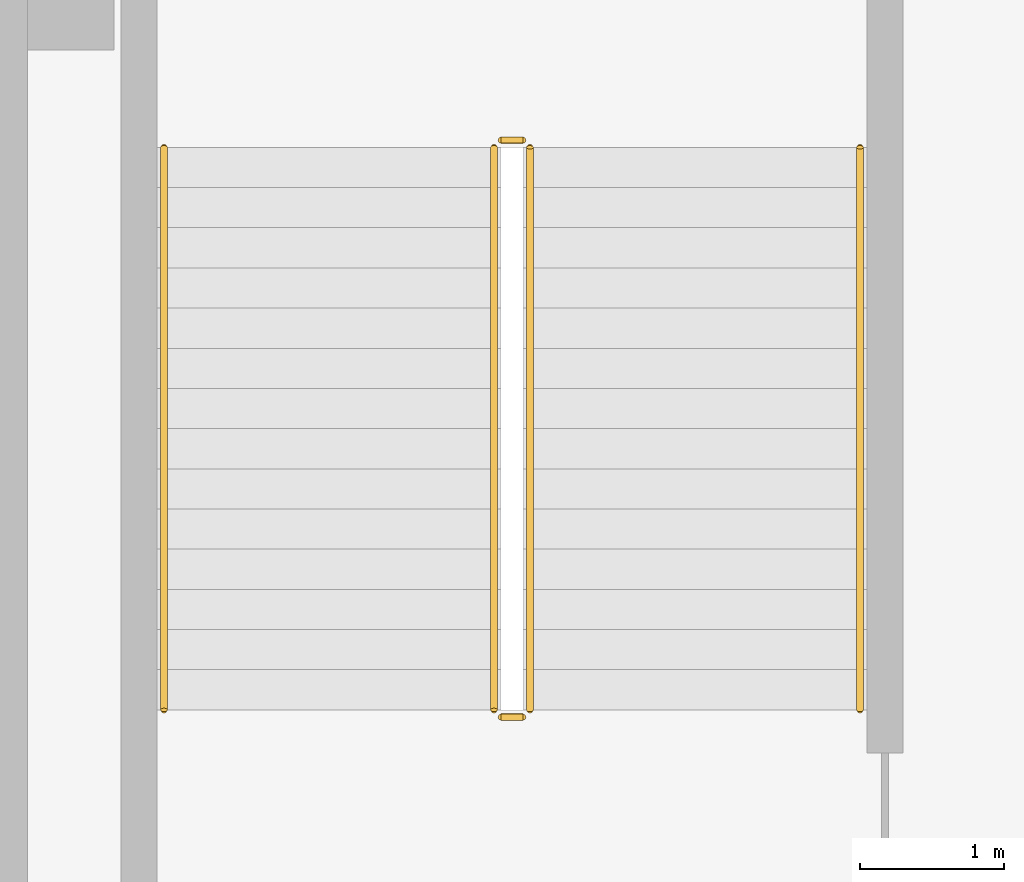
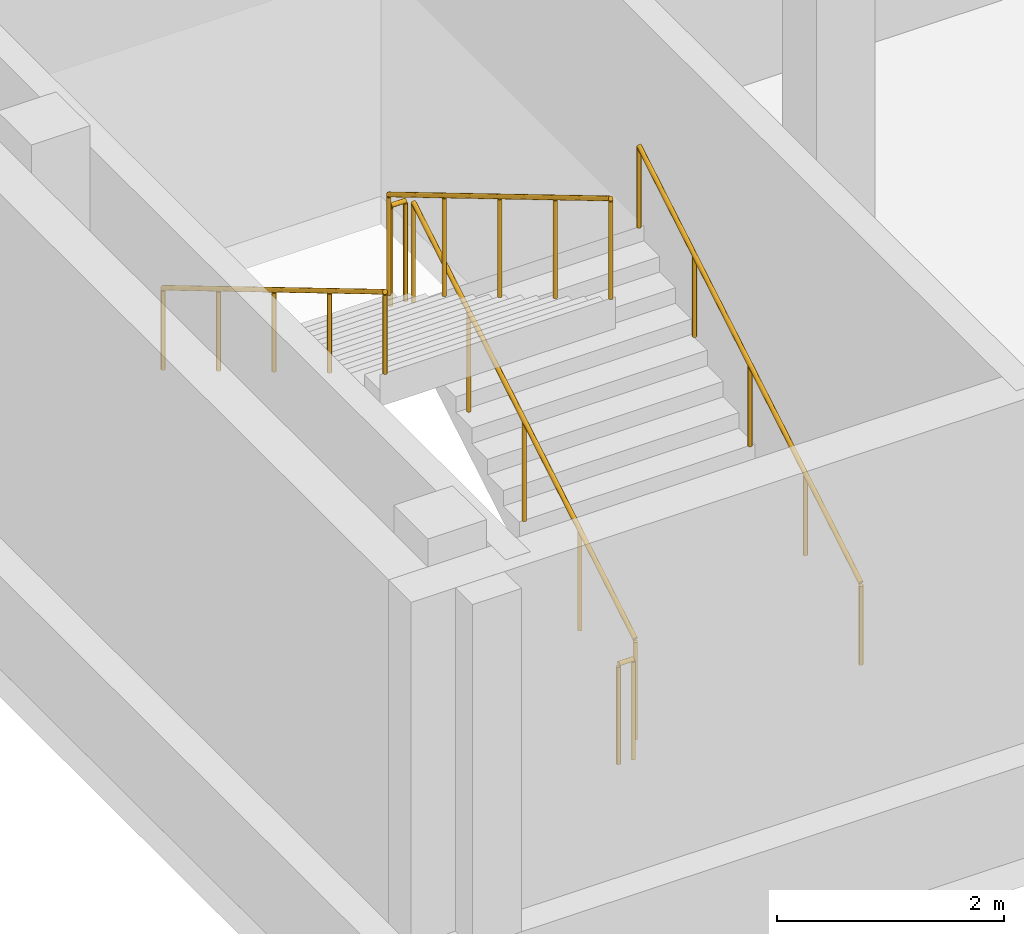
# One storey, part 27 of 32: 6 railings.
"""IFC4 building model written with IfcOpenShell, lengths in metres."""

import ifcopenshell
import ifcopenshell.guid

model = None  # the IFC model being written
_history = None  # IfcOwnerHistory: only IFC2X3 demands one
_inside = {}  # id of a spatial element -> (the spatial element, [elements in it])
_under = {}  # id of a project, library or spatial element -> (it, [spatial elements below it])
_declared = {}  # id of a project -> (the project, [libraries it declares])
_typed = {}  # id of a type object -> (the type object, [elements of that type])
_made_of = {}  # id of a material, layer set ... -> (it, [elements and type objects made of it])


def new_model(schema):
    """Start an empty IFC model of exactly this schema.

    Asked for "IFC4X3", IfcOpenShell would pick the latest addendum, in which some entities
    have other attributes; the version numbers below select the first issue.
    IFC2X3 requires an IfcOwnerHistory on every rooted entity: one is made here for all.
    """
    global model, _history
    if schema == "IFC4X3":
        model = ifcopenshell.file(schema_version=(4, 3, 0, 0))
    else:
        model = ifcopenshell.file(schema=schema)
    _inside.clear()
    _under.clear()
    _declared.clear()
    _typed.clear()
    _made_of.clear()
    _history = None
    if model.schema == "IFC2X3":
        org = make("IfcOrganization", Name="unknown")
        user = make(
            "IfcPersonAndOrganization",
            ThePerson=make("IfcPerson", FamilyName="unknown"),
            TheOrganization=org,
        )
        app = make(
            "IfcApplication",
            ApplicationDeveloper=org,
            Version="unknown",
            ApplicationFullName="unknown",
            ApplicationIdentifier="unknown",
        )
        _history = make(
            "IfcOwnerHistory",
            OwningUser=user,
            OwningApplication=app,
            ChangeAction="ADDED",
            CreationDate=0,
        )
    return model


def make(cls, **values):
    """One entity of the class cls with the attributes given. An attribute that is None is left unset."""
    return model.create_entity(
        cls, **{name: value for name, value in values.items() if value is not None}
    )


def rooted(cls, **values):
    """An entity with a GlobalId (a new one), such as an element, a storey or a relation."""
    return make(cls, GlobalId=ifcopenshell.guid.new(), OwnerHistory=_history, **values)


def si_unit(unit_type, name, prefix=None):
    """IfcSIUnit, for example si_unit("LENGTHUNIT", "METRE", prefix="MILLI")."""
    return make("IfcSIUnit", UnitType=unit_type, Prefix=prefix, Name=name)


def assignment(units):
    """IfcUnitAssignment: the units of a project."""
    return None if units is None else make("IfcUnitAssignment", Units=units)


def point(xyz):
    """IfcCartesianPoint."""
    return None if xyz is None else make("IfcCartesianPoint", Coordinates=xyz)


def direction(xyz):
    """IfcDirection."""
    return None if xyz is None else make("IfcDirection", DirectionRatios=xyz)


def frame(location, z_axis=None, x_axis=None):
    """IfcAxis2Placement3D, a coordinate frame: its origin and axes. An axis left out is left unset."""
    return make(
        "IfcAxis2Placement3D",
        Location=point(location),
        Axis=direction(z_axis),
        RefDirection=direction(x_axis),
    )


def frame_2d(location, x_axis=None):
    """IfcAxis2Placement2D, a coordinate frame in the plane: its origin and x axis."""
    return make(
        "IfcAxis2Placement2D", Location=point(location), RefDirection=direction(x_axis)
    )


def origin():
    """The frame at (0, 0, 0) with its axes left unset."""
    return frame((0.0, 0.0, 0.0))


def origin_2d():
    """The frame at (0, 0) in the plane with its x axis left unset."""
    return frame_2d((0.0, 0.0))


def place(relative_to, where):
    """IfcLocalPlacement: puts the frame where relative to a parent placement (None: the world)."""
    return make(
        "IfcLocalPlacement", PlacementRelTo=relative_to, RelativePlacement=where
    )


def context(
    kind, dimensions, precision=None, world=None, true_north=None, identifier=None
):
    """IfcGeometricRepresentationContext, for example the 3D "Model" context."""
    return make(
        "IfcGeometricRepresentationContext",
        ContextIdentifier=identifier,
        ContextType=kind,
        CoordinateSpaceDimension=dimensions,
        Precision=precision,
        WorldCoordinateSystem=world,
        TrueNorth=true_north,
    )


def subcontext(parent, identifier, kind, view, scale=None):
    """IfcGeometricRepresentationSubContext, for example "Body" below "Model"."""
    return make(
        "IfcGeometricRepresentationSubContext",
        ContextIdentifier=identifier,
        ContextType=kind,
        ParentContext=parent,
        TargetScale=scale,
        TargetView=view,
    )


def project(units=None, contexts=None):
    """IfcProject with its units and contexts."""
    return rooted(
        "IfcProject",
        Name="project",
        RepresentationContexts=contexts,
        UnitsInContext=assignment(units),
    )


def spatial(cls, under=None, at=None, **own):
    """A site, building, storey or space (cls), placed at a placement, below another one or the project."""
    s = rooted(cls, ObjectPlacement=at, **own)
    if under is not None:
        _under.setdefault(under.id(), (under, []))[1].append(s)
    return s


def profile(cls, at=None, kind="AREA", **sizes):
    """A parametric profile (cls). Its sizes go by their IFC names, for example OverallWidth=200.0."""
    return make(cls, ProfileType=kind, Position=at, **sizes)


def circle(**sizes):
    """IfcCircleProfileDef."""
    return profile("IfcCircleProfileDef", **sizes)


def extrude(swept, where, along, depth):
    """IfcExtrudedAreaSolid: the profile swept, set in the frame where, extruded along a direction by depth."""
    return make(
        "IfcExtrudedAreaSolid",
        SweptArea=swept,
        Position=where,
        ExtrudedDirection=direction(along),
        Depth=depth,
    )


def shape(context_of_items, identifier, shape_type, items):
    """IfcShapeRepresentation: the items that make up one representation, for example the "Body"."""
    return make(
        "IfcShapeRepresentation",
        ContextOfItems=context_of_items,
        RepresentationIdentifier=identifier,
        RepresentationType=shape_type,
        Items=items,
    )


def material(Name=None, Category=None):
    """IfcMaterial."""
    return make("IfcMaterial", Name=Name, Category=Category)


def made_of(thing, what):
    """Note that an element or type object is made of a material, layer set ...; save() writes the relation."""
    if what is not None:
        _made_of.setdefault(what.id(), (what, []))[1].append(thing)
    return thing


def type_object(cls, material=None, **own):
    """A type object (cls), such as IfcWallType, which elements share."""
    return made_of(rooted(cls, **own), material)


def element(
    cls,
    number,
    at=None,
    inside=None,
    cuts=None,
    type_object=None,
    material=None,
    context=None,
    identifier="Body",
    shape_type=None,
    held_by="IfcProductDefinitionShape",
    body=None,
    shapes=None,
    **own,
):
    """One element of the class cls, such as IfcWall. Its Tag is "e" and its number.

    at: its placement. inside: the storey or other place that contains it. cuts: it is an
    opening in that element (IfcRelVoidsElement). A single representation is given by context,
    identifier, shape_type and body (its items); several are given by shapes. held_by: the class
    of the entity that holds the representations. save() writes the other relations.
    """
    e = rooted(cls, Tag="e%d" % number, ObjectPlacement=at, **own)
    if body is not None:
        shapes = [shape(context, identifier, shape_type, body)]
    if shapes is not None:
        e.Representation = make(held_by, Representations=shapes)
    if inside is not None:
        _inside.setdefault(inside.id(), (inside, []))[1].append(e)
    if cuts is not None:
        rooted(
            "IfcRelVoidsElement", RelatingBuildingElement=cuts, RelatedOpeningElement=e
        )
    if type_object is not None:
        _typed.setdefault(type_object.id(), (type_object, []))[1].append(e)
    return made_of(e, material)


def aggregate(whole, parts):
    """IfcRelAggregates: a whole, such as a stair, and the parts it consists of."""
    return rooted("IfcRelAggregates", RelatingObject=whole, RelatedObjects=parts)


def save(model, path):
    """Write the relations noted so far, then the file.

    IfcRelAggregates (storeys below a building ...), IfcRelContainedInSpatialStructure (elements
    in a storey), IfcRelDefinesByType, IfcRelAssociatesMaterial and IfcRelDeclares: one each for
    every whole, place, type object, material and project.
    """
    for whole, parts in _under.values():
        aggregate(whole, parts)
    for where, things in _inside.values():
        rooted(
            "IfcRelContainedInSpatialStructure",
            RelatedElements=things,
            RelatingStructure=where,
        )
    for kind, things in _typed.values():
        rooted("IfcRelDefinesByType", RelatedObjects=things, RelatingType=kind)
    for what, things in _made_of.values():
        rooted("IfcRelAssociatesMaterial", RelatedObjects=things, RelatingMaterial=what)
    for by, libraries in _declared.values():
        rooted("IfcRelDeclares", RelatingContext=by, RelatedDefinitions=libraries)
    model.write(path)


model = new_model("IFC4")

# Units and contexts
model_context = context("Model", 3, precision=1e-05, world=origin(), true_north=direction((0.0, 1.0)))
body_context = subcontext(model_context, "Body", "Model", "MODEL_VIEW")
ifc_project = project(units=[si_unit("LENGTHUNIT", "METRE"), si_unit("AREAUNIT", "SQUARE_METRE"), si_unit("VOLUMEUNIT", "CUBIC_METRE"), si_unit("PLANEANGLEUNIT", "RADIAN"), si_unit("MASSUNIT", "GRAM", prefix="KILO")], contexts=[model_context])

# Site, building, storey
site_placement = place(None, origin())
site = spatial("IfcSite", under=ifc_project, at=site_placement, CompositionType="ELEMENT")
building_placement = place(site_placement, origin())
building = spatial("IfcBuilding", under=site, at=building_placement, Name="Tamorin Gate", CompositionType="ELEMENT")
storey_placement = place(building_placement, frame((0.0, 0.0, 18.5)))
storey = spatial("IfcBuildingStorey", under=building, at=storey_placement, Name="L03", CompositionType="ELEMENT", Elevation=18.5)

# Railings
ifc_material = material(Name="Steel, galvanised", Category="steel")
railing_type_1 = type_object("IfcRailingType", Name="Steel guard 1100 museum", PredefinedType="GUARDRAIL", material=ifc_material)
railing_1_placement = place(storey_placement, frame((148.89990234375, 57.800048828125, 0.166748046875)))
element("IfcRailing", 1, at=railing_1_placement, inside=storey, type_object=railing_type_1, Name="L03 PS8 stair guard 1", PredefinedType="GUARDRAIL", context=body_context, shape_type="SweptSolid", body=[
    extrude(circle(Radius=0.02392578125, at=origin_2d()), frame((0.0, 0.0, 1.076171875), z_axis=(0.0, 0.859296244711, 0.511478214419), x_axis=(-1.0, 0.0, 0.0)), (0.0, 0.0, 1.0), 4.561767578125),
    extrude(circle(Radius=0.02099609375, at=origin_2d()), origin(), (0.0, 0.0, 1.0), 1.052001953125),
    extrude(circle(Radius=0.02099609375, at=origin_2d()), frame((0.0, 0.97998046875, 0.583251953125)), (0.0, 0.0, 1.0), 1.052001953125),
    extrude(circle(Radius=0.02099609375, at=origin_2d()), frame((0.0, 1.9599609375, 1.16650390625)), (0.0, 0.0, 1.0), 1.052001953125),
    extrude(circle(Radius=0.02099609375, at=origin_2d()), frame((0.0, 2.93994140625, 1.75)), (0.0, 0.0, 1.0), 1.052001953125),
    extrude(circle(Radius=0.02099609375, at=origin_2d()), frame((0.0, 3.919921875, 2.333251953125)), (0.0, 0.0, 1.0), 1.052001953125),
])
railing_2_placement = place(storey_placement, frame((148.85009765625, 61.77001953125, 2.5)))
element("IfcRailing", 2, at=railing_2_placement, inside=storey, type_object=railing_type_1, Name="L03 PS8 stair guard 2", PredefinedType="GUARDRAIL", context=body_context, shape_type="SweptSolid", body=[
    extrude(circle(Radius=0.02392578125, at=origin_2d()), frame((0.0, 0.0, 1.076171875), z_axis=(-1.0, 0.0, 0.0), x_axis=(0.0, -1.0, 0.0)), (0.0, 0.0, 1.0), 0.150146484375),
    extrude(circle(Radius=0.02099609375, at=origin_2d()), origin(), (0.0, 0.0, 1.0), 1.052001953125),
    extrude(circle(Radius=0.02099609375, at=origin_2d()), frame((-0.150146484375, 0.0, 0.0)), (0.0, 0.0, 1.0), 1.052001953125),
])
railing_3_placement = place(storey_placement, frame((148.64990234375, 61.719970703125, 2.666748046875)))
element("IfcRailing", 3, at=railing_3_placement, inside=storey, type_object=railing_type_1, Name="L03 PS8 stair guard 3", PredefinedType="GUARDRAIL", context=body_context, shape_type="SweptSolid", body=[
    extrude(circle(Radius=0.02392578125, at=origin_2d()), frame((0.0, 0.0, 1.076171875), z_axis=(0.0, -0.859296244711, 0.511478214419), x_axis=(1.0, 0.0, 0.0)), (0.0, 0.0, 1.0), 4.561767578125),
    extrude(circle(Radius=0.02099609375, at=origin_2d()), origin(), (0.0, 0.0, 1.0), 1.052001953125),
    extrude(circle(Radius=0.02099609375, at=origin_2d()), frame((0.0, -0.97998046875, 0.583251953125)), (0.0, 0.0, 1.0), 1.052001953125),
    extrude(circle(Radius=0.02099609375, at=origin_2d()), frame((0.0, -1.9599609375, 1.16650390625)), (0.0, 0.0, 1.0), 1.052001953125),
    extrude(circle(Radius=0.02099609375, at=origin_2d()), frame((0.0, -2.93994140625, 1.75)), (0.0, 0.0, 1.0), 1.052001953125),
    extrude(circle(Radius=0.02099609375, at=origin_2d()), frame((0.0, -3.919921875, 2.333251953125)), (0.0, 0.0, 1.0), 1.052001953125),
])
railing_4_placement = place(storey_placement, frame((148.85009765625, 57.75, 0.0)))
element("IfcRailing", 4, at=railing_4_placement, inside=storey, type_object=railing_type_1, Name="L03 PS8 stair guard 4", PredefinedType="GUARDRAIL", context=body_context, shape_type="SweptSolid", body=[
    extrude(circle(Radius=0.02392578125, at=origin_2d()), frame((0.0, 0.0, 1.076171875), z_axis=(-1.0, 0.0, 0.0), x_axis=(0.0, -1.0, 0.0)), (0.0, 0.0, 1.0), 0.150146484375),
    extrude(circle(Radius=0.02099609375, at=origin_2d()), origin(), (0.0, 0.0, 1.0), 1.052001953125),
    extrude(circle(Radius=0.02099609375, at=origin_2d()), frame((-0.150146484375, 0.0, 0.0)), (0.0, 0.0, 1.0), 1.052001953125),
])
railing_type_2 = type_object("IfcRailingType", Name="Steel handrail 900 museum", PredefinedType="HANDRAIL", material=ifc_material)
railing_5_placement = place(storey_placement, frame((151.199951171875, 57.800048828125, 0.166748046875)))
element("IfcRailing", 5, at=railing_5_placement, inside=storey, type_object=railing_type_2, Name="L03 PS8 stair handrail 1", PredefinedType="HANDRAIL", context=body_context, shape_type="SweptSolid", body=[
    extrude(circle(Radius=0.02392578125, at=origin_2d()), frame((0.0, 0.0, 0.8759765625), z_axis=(0.0, 0.859296244711, 0.511478214419), x_axis=(-1.0, 0.0, 0.0)), (0.0, 0.0, 1.0), 4.561767578125),
    extrude(circle(Radius=0.02099609375, at=origin_2d()), origin(), (0.0, 0.0, 1.0), 0.851806640625),
    extrude(circle(Radius=0.02099609375, at=origin_2d()), frame((0.0, 0.97998046875, 0.583251953125)), (0.0, 0.0, 1.0), 0.851806640625),
    extrude(circle(Radius=0.02099609375, at=origin_2d()), frame((0.0, 1.9599609375, 1.16650390625)), (0.0, 0.0, 1.0), 0.851806640625),
    extrude(circle(Radius=0.02099609375, at=origin_2d()), frame((0.0, 2.93994140625, 1.75)), (0.0, 0.0, 1.0), 0.851806640625),
    extrude(circle(Radius=0.02099609375, at=origin_2d()), frame((0.0, 3.919921875, 2.333251953125)), (0.0, 0.0, 1.0), 0.851806640625),
])
railing_6_placement = place(storey_placement, frame((146.35009765625, 61.719970703125, 2.666748046875)))
element("IfcRailing", 6, at=railing_6_placement, inside=storey, type_object=railing_type_2, Name="L03 PS8 stair handrail 2", PredefinedType="HANDRAIL", context=body_context, shape_type="SweptSolid", body=[
    extrude(circle(Radius=0.02392578125, at=origin_2d()), frame((0.0, 0.0, 0.8759765625), z_axis=(0.0, -0.859296244711, 0.511478214419), x_axis=(1.0, 0.0, 0.0)), (0.0, 0.0, 1.0), 4.561767578125),
    extrude(circle(Radius=0.02099609375, at=origin_2d()), origin(), (0.0, 0.0, 1.0), 0.851806640625),
    extrude(circle(Radius=0.02099609375, at=origin_2d()), frame((0.0, -0.97998046875, 0.583251953125)), (0.0, 0.0, 1.0), 0.851806640625),
    extrude(circle(Radius=0.02099609375, at=origin_2d()), frame((0.0, -1.9599609375, 1.16650390625)), (0.0, 0.0, 1.0), 0.851806640625),
    extrude(circle(Radius=0.02099609375, at=origin_2d()), frame((0.0, -2.93994140625, 1.75)), (0.0, 0.0, 1.0), 0.851806640625),
    extrude(circle(Radius=0.02099609375, at=origin_2d()), frame((0.0, -3.919921875, 2.333251953125)), (0.0, 0.0, 1.0), 0.851806640625),
])

save(model, "model.ifc")
